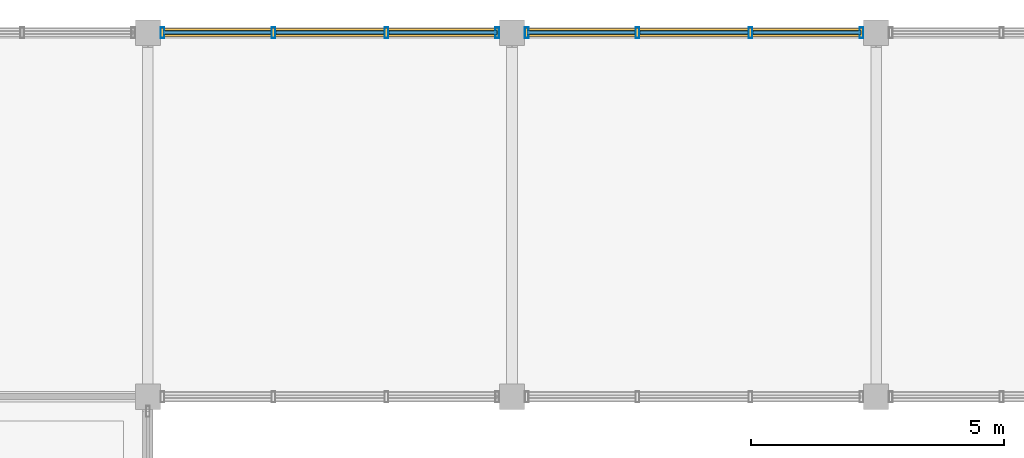
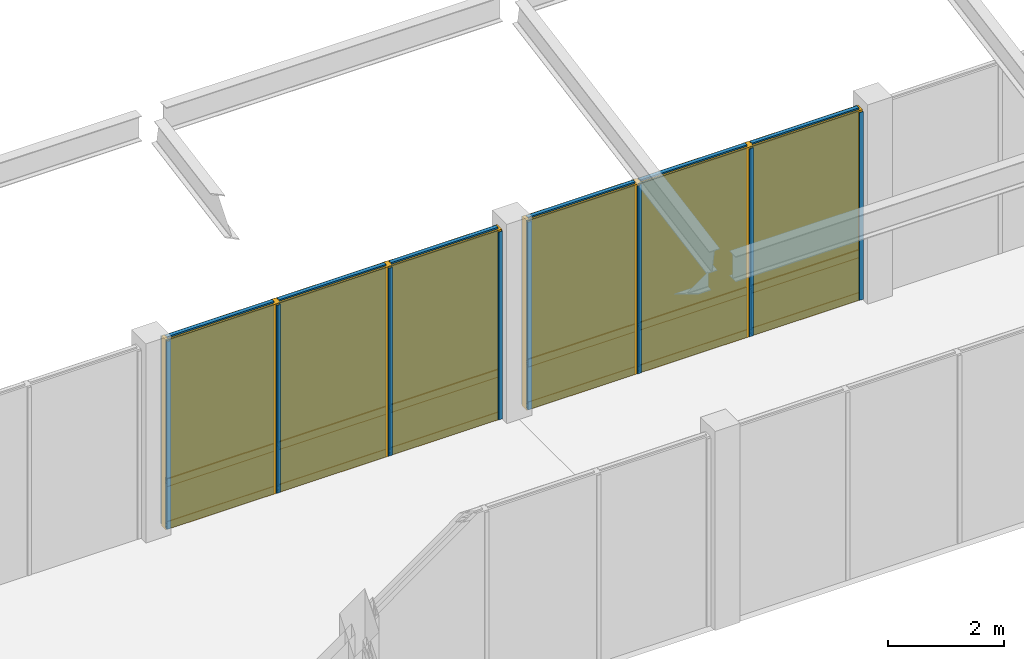
# One storey, part 14 of 16: 26 members, 12 plates, 2 curtain walls.
"""IFC4 building model written with IfcOpenShell, lengths in metres."""

from ifc_helpers import new_model, si_unit, direction, frame, origin, origin_2d, place, context, subcontext, project, spatial, rectangle, hollow_rectangle, extrude, material, layer, layer_set, material_profile, profile_set, type_object, element, aggregate, save


model = new_model("IFC4")

# Units and contexts
model_context = context("Model", 3, precision=1e-05, world=origin(), true_north=direction((0.0, 1.0)))
body_context = subcontext(model_context, "Body", "Model", "MODEL_VIEW")
ifc_project = project(units=[si_unit("LENGTHUNIT", "METRE"), si_unit("AREAUNIT", "SQUARE_METRE"), si_unit("VOLUMEUNIT", "CUBIC_METRE"), si_unit("PLANEANGLEUNIT", "RADIAN"), si_unit("MASSUNIT", "GRAM", prefix="KILO")], contexts=[model_context])

# Member
ifc_material_1 = material(Name="Anodized Aluminium 6063-T6", Category="aluminium")
ifc_material_profile_1 = material_profile(ifc_material_1, hollow_rectangle(XDim=0.074951171875, YDim=0.219970703125, WallThickness=0.0048828125, at=origin_2d()), Name="ALU 75x220x5")
ifc_profile_set_1 = profile_set([ifc_material_profile_1], Name="Anodized Aluminium 6063-T6")
member_type_1 = type_object("IfcMemberType", Name="CWM-75X180", PredefinedType="MULLION", material=ifc_profile_set_1)
site_placement = place(None, origin())
building_placement = place(site_placement, origin())
storey_placement = place(building_placement, frame((0.0, 0.0, 25.800048828125)))
member_1_placement = place(storey_placement, frame((72.2900390625, 115.199951171875, 0.02001953125), z_axis=(0.0, 0.0, 1.0), x_axis=(1.0, 0.0, 0.0)))
member_1 = element("IfcMember", 1, at=member_1_placement, type_object=member_type_1, Name="Curtain wall mullion CW-L07-10-15-N-00", PredefinedType="MULLION", context=body_context, shape_type="SweptSolid", body=[
    extrude(hollow_rectangle(XDim=0.074951171875, YDim=0.219970703125, WallThickness=0.0048828125, at=origin_2d()), origin(), (0.0, 0.0, 1.0), 3.9599609375),
])

member_2_placement = place(storey_placement, frame((74.4833984375, 115.199951171875, 0.02001953125), z_axis=(0.0, 0.0, 1.0), x_axis=(1.0, 0.0, 0.0)))
member_2 = element("IfcMember", 2, at=member_2_placement, type_object=member_type_1, Name="Curtain wall mullion CW-L07-10-15-N-01", PredefinedType="MULLION", context=body_context, shape_type="SweptSolid", body=[
    extrude(hollow_rectangle(XDim=0.074951171875, YDim=0.219970703125, WallThickness=0.0048828125, at=origin_2d()), origin(), (0.0, 0.0, 1.0), 3.9599609375),
])

member_3_placement = place(storey_placement, frame((76.716796875, 115.199951171875, 0.02001953125), z_axis=(0.0, 0.0, 1.0), x_axis=(1.0, 0.0, 0.0)))
member_3 = element("IfcMember", 3, at=member_3_placement, type_object=member_type_1, Name="Curtain wall mullion CW-L07-10-15-N-02", PredefinedType="MULLION", context=body_context, shape_type="SweptSolid", body=[
    extrude(hollow_rectangle(XDim=0.074951171875, YDim=0.219970703125, WallThickness=0.0048828125, at=origin_2d()), origin(), (0.0, 0.0, 1.0), 3.9599609375),
])

member_4_placement = place(storey_placement, frame((78.909912109375, 115.199951171875, 0.02001953125), z_axis=(0.0, 0.0, 1.0), x_axis=(1.0, 0.0, 0.0)))
member_4 = element("IfcMember", 4, at=member_4_placement, type_object=member_type_1, Name="Curtain wall mullion CW-L07-10-15-N-03", PredefinedType="MULLION", context=body_context, shape_type="SweptSolid", body=[
    extrude(hollow_rectangle(XDim=0.074951171875, YDim=0.219970703125, WallThickness=0.0048828125, at=origin_2d()), origin(), (0.0, 0.0, 1.0), 3.9599609375),
])

member_5_placement = place(storey_placement, frame((79.489990234375, 115.199951171875, 0.02001953125), z_axis=(0.0, 0.0, 1.0), x_axis=(1.0, 0.0, 0.0)))
member_5 = element("IfcMember", 5, at=member_5_placement, type_object=member_type_1, Name="Curtain wall mullion CW-L07-11-15-N-00", PredefinedType="MULLION", context=body_context, shape_type="SweptSolid", body=[
    extrude(hollow_rectangle(XDim=0.074951171875, YDim=0.219970703125, WallThickness=0.0048828125, at=origin_2d()), origin(), (0.0, 0.0, 1.0), 3.9599609375),
])

member_6_placement = place(storey_placement, frame((81.683349609375, 115.199951171875, 0.02001953125), z_axis=(0.0, 0.0, 1.0), x_axis=(1.0, 0.0, 0.0)))
member_6 = element("IfcMember", 6, at=member_6_placement, type_object=member_type_1, Name="Curtain wall mullion CW-L07-11-15-N-01", PredefinedType="MULLION", context=body_context, shape_type="SweptSolid", body=[
    extrude(hollow_rectangle(XDim=0.074951171875, YDim=0.219970703125, WallThickness=0.0048828125, at=origin_2d()), origin(), (0.0, 0.0, 1.0), 3.9599609375),
])

member_7_placement = place(storey_placement, frame((83.916748046875, 115.199951171875, 0.02001953125), z_axis=(0.0, 0.0, 1.0), x_axis=(1.0, 0.0, 0.0)))
member_7 = element("IfcMember", 7, at=member_7_placement, type_object=member_type_1, Name="Curtain wall mullion CW-L07-11-15-N-02", PredefinedType="MULLION", context=body_context, shape_type="SweptSolid", body=[
    extrude(hollow_rectangle(XDim=0.074951171875, YDim=0.219970703125, WallThickness=0.0048828125, at=origin_2d()), origin(), (0.0, 0.0, 1.0), 3.9599609375),
])

member_8_placement = place(storey_placement, frame((86.110107421875, 115.199951171875, 0.02001953125), z_axis=(0.0, 0.0, 1.0), x_axis=(1.0, 0.0, 0.0)))
member_8 = element("IfcMember", 8, at=member_8_placement, type_object=member_type_1, Name="Curtain wall mullion CW-L07-11-15-N-03", PredefinedType="MULLION", context=body_context, shape_type="SweptSolid", body=[
    extrude(hollow_rectangle(XDim=0.074951171875, YDim=0.219970703125, WallThickness=0.0048828125, at=origin_2d()), origin(), (0.0, 0.0, 1.0), 3.9599609375),
])

ifc_material_profile_2 = material_profile(ifc_material_1, hollow_rectangle(XDim=0.074951171875, YDim=0.159912109375, WallThickness=0.00390625, at=origin_2d()), Name="ALU 75x160x4")
ifc_profile_set_2 = profile_set([ifc_material_profile_2], Name="Anodized Aluminium 6063-T6")
member_type_2 = type_object("IfcMemberType", Name="CWT-75X150", PredefinedType="USERDEFINED", material=ifc_profile_set_2)
member_9_placement = place(storey_placement, frame((72.300048828125, 115.199951171875, 0.050048828125), z_axis=(1.0, 0.0, 0.0), x_axis=(0.0, 1.0, 0.0)))
member_9 = element("IfcMember", 9, at=member_9_placement, type_object=member_type_2, Name="Curtain wall transom CW-L07-10-15-N-1.01", ObjectType="TRANSOM", PredefinedType="USERDEFINED", context=body_context, shape_type="SweptSolid", body=[
    extrude(hollow_rectangle(XDim=0.074951171875, YDim=0.159912109375, WallThickness=0.00390625, at=origin_2d()), origin(), (0.0, 0.0, 1.0), 2.13330078125),
])

member_10_placement = place(storey_placement, frame((74.533203125, 115.199951171875, 0.050048828125), z_axis=(1.0, 0.0, 0.0), x_axis=(0.0, 1.0, 0.0)))
member_10 = element("IfcMember", 10, at=member_10_placement, type_object=member_type_2, Name="Curtain wall transom CW-L07-10-15-N-1.02", ObjectType="TRANSOM", PredefinedType="USERDEFINED", context=body_context, shape_type="SweptSolid", body=[
    extrude(hollow_rectangle(XDim=0.074951171875, YDim=0.159912109375, WallThickness=0.00390625, at=origin_2d()), origin(), (0.0, 0.0, 1.0), 2.133544921875),
])

member_11_placement = place(storey_placement, frame((76.7666015625, 115.199951171875, 0.050048828125), z_axis=(1.0, 0.0, 0.0), x_axis=(0.0, 1.0, 0.0)))
member_11 = element("IfcMember", 11, at=member_11_placement, type_object=member_type_2, Name="Curtain wall transom CW-L07-10-15-N-1.03", ObjectType="TRANSOM", PredefinedType="USERDEFINED", context=body_context, shape_type="SweptSolid", body=[
    extrude(hollow_rectangle(XDim=0.074951171875, YDim=0.159912109375, WallThickness=0.00390625, at=origin_2d()), origin(), (0.0, 0.0, 1.0), 2.13330078125),
])

member_12_placement = place(storey_placement, frame((72.300048828125, 115.199951171875, 0.949951171875), z_axis=(1.0, 0.0, 0.0), x_axis=(0.0, 1.0, 0.0)))
member_12 = element("IfcMember", 12, at=member_12_placement, type_object=member_type_2, Name="Curtain wall transom CW-L07-10-15-N-2.01", ObjectType="TRANSOM", PredefinedType="USERDEFINED", context=body_context, shape_type="SweptSolid", body=[
    extrude(hollow_rectangle(XDim=0.074951171875, YDim=0.159912109375, WallThickness=0.00390625, at=origin_2d()), origin(), (0.0, 0.0, 1.0), 2.13330078125),
])

member_13_placement = place(storey_placement, frame((74.533203125, 115.199951171875, 0.949951171875), z_axis=(1.0, 0.0, 0.0), x_axis=(0.0, 1.0, 0.0)))
member_13 = element("IfcMember", 13, at=member_13_placement, type_object=member_type_2, Name="Curtain wall transom CW-L07-10-15-N-2.02", ObjectType="TRANSOM", PredefinedType="USERDEFINED", context=body_context, shape_type="SweptSolid", body=[
    extrude(hollow_rectangle(XDim=0.074951171875, YDim=0.159912109375, WallThickness=0.00390625, at=origin_2d()), origin(), (0.0, 0.0, 1.0), 2.133544921875),
])

member_14_placement = place(storey_placement, frame((76.7666015625, 115.199951171875, 0.949951171875), z_axis=(1.0, 0.0, 0.0), x_axis=(0.0, 1.0, 0.0)))
member_14 = element("IfcMember", 14, at=member_14_placement, type_object=member_type_2, Name="Curtain wall transom CW-L07-10-15-N-2.03", ObjectType="TRANSOM", PredefinedType="USERDEFINED", context=body_context, shape_type="SweptSolid", body=[
    extrude(hollow_rectangle(XDim=0.074951171875, YDim=0.159912109375, WallThickness=0.00390625, at=origin_2d()), origin(), (0.0, 0.0, 1.0), 2.13330078125),
])

member_15_placement = place(storey_placement, frame((72.300048828125, 115.199951171875, 3.949951171875), z_axis=(1.0, 0.0, 0.0), x_axis=(0.0, 1.0, 0.0)))
member_15 = element("IfcMember", 15, at=member_15_placement, type_object=member_type_2, Name="Curtain wall transom CW-L07-10-15-N-3.01", ObjectType="TRANSOM", PredefinedType="USERDEFINED", context=body_context, shape_type="SweptSolid", body=[
    extrude(hollow_rectangle(XDim=0.074951171875, YDim=0.159912109375, WallThickness=0.00390625, at=origin_2d()), origin(), (0.0, 0.0, 1.0), 2.13330078125),
])

member_16_placement = place(storey_placement, frame((74.533203125, 115.199951171875, 3.949951171875), z_axis=(1.0, 0.0, 0.0), x_axis=(0.0, 1.0, 0.0)))
member_16 = element("IfcMember", 16, at=member_16_placement, type_object=member_type_2, Name="Curtain wall transom CW-L07-10-15-N-3.02", ObjectType="TRANSOM", PredefinedType="USERDEFINED", context=body_context, shape_type="SweptSolid", body=[
    extrude(hollow_rectangle(XDim=0.074951171875, YDim=0.159912109375, WallThickness=0.00390625, at=origin_2d()), origin(), (0.0, 0.0, 1.0), 2.133544921875),
])

member_17_placement = place(storey_placement, frame((76.7666015625, 115.199951171875, 3.949951171875), z_axis=(1.0, 0.0, 0.0), x_axis=(0.0, 1.0, 0.0)))
member_17 = element("IfcMember", 17, at=member_17_placement, type_object=member_type_2, Name="Curtain wall transom CW-L07-10-15-N-3.03", ObjectType="TRANSOM", PredefinedType="USERDEFINED", context=body_context, shape_type="SweptSolid", body=[
    extrude(hollow_rectangle(XDim=0.074951171875, YDim=0.159912109375, WallThickness=0.00390625, at=origin_2d()), origin(), (0.0, 0.0, 1.0), 2.13330078125),
])

member_18_placement = place(storey_placement, frame((79.5, 115.199951171875, 0.050048828125), z_axis=(1.0, 0.0, 0.0), x_axis=(0.0, 1.0, 0.0)))
member_18 = element("IfcMember", 18, at=member_18_placement, type_object=member_type_2, Name="Curtain wall transom CW-L07-11-15-N-1.01", ObjectType="TRANSOM", PredefinedType="USERDEFINED", context=body_context, shape_type="SweptSolid", body=[
    extrude(hollow_rectangle(XDim=0.074951171875, YDim=0.159912109375, WallThickness=0.00390625, at=origin_2d()), origin(), (0.0, 0.0, 1.0), 2.13330078125),
])

member_19_placement = place(storey_placement, frame((81.7333984375, 115.199951171875, 0.050048828125), z_axis=(1.0, 0.0, 0.0), x_axis=(0.0, 1.0, 0.0)))
member_19 = element("IfcMember", 19, at=member_19_placement, type_object=member_type_2, Name="Curtain wall transom CW-L07-11-15-N-1.02", ObjectType="TRANSOM", PredefinedType="USERDEFINED", context=body_context, shape_type="SweptSolid", body=[
    extrude(hollow_rectangle(XDim=0.074951171875, YDim=0.159912109375, WallThickness=0.00390625, at=origin_2d()), origin(), (0.0, 0.0, 1.0), 2.13330078125),
])

member_20_placement = place(storey_placement, frame((83.966796875, 115.199951171875, 0.050048828125), z_axis=(1.0, 0.0, 0.0), x_axis=(0.0, 1.0, 0.0)))
member_20 = element("IfcMember", 20, at=member_20_placement, type_object=member_type_2, Name="Curtain wall transom CW-L07-11-15-N-1.03", ObjectType="TRANSOM", PredefinedType="USERDEFINED", context=body_context, shape_type="SweptSolid", body=[
    extrude(hollow_rectangle(XDim=0.074951171875, YDim=0.159912109375, WallThickness=0.00390625, at=origin_2d()), origin(), (0.0, 0.0, 1.0), 2.13330078125),
])

member_21_placement = place(storey_placement, frame((79.5, 115.199951171875, 0.949951171875), z_axis=(1.0, 0.0, 0.0), x_axis=(0.0, 1.0, 0.0)))
member_21 = element("IfcMember", 21, at=member_21_placement, type_object=member_type_2, Name="Curtain wall transom CW-L07-11-15-N-2.01", ObjectType="TRANSOM", PredefinedType="USERDEFINED", context=body_context, shape_type="SweptSolid", body=[
    extrude(hollow_rectangle(XDim=0.074951171875, YDim=0.159912109375, WallThickness=0.00390625, at=origin_2d()), origin(), (0.0, 0.0, 1.0), 2.13330078125),
])

member_22_placement = place(storey_placement, frame((81.7333984375, 115.199951171875, 0.949951171875), z_axis=(1.0, 0.0, 0.0), x_axis=(0.0, 1.0, 0.0)))
member_22 = element("IfcMember", 22, at=member_22_placement, type_object=member_type_2, Name="Curtain wall transom CW-L07-11-15-N-2.02", ObjectType="TRANSOM", PredefinedType="USERDEFINED", context=body_context, shape_type="SweptSolid", body=[
    extrude(hollow_rectangle(XDim=0.074951171875, YDim=0.159912109375, WallThickness=0.00390625, at=origin_2d()), origin(), (0.0, 0.0, 1.0), 2.13330078125),
])

member_23_placement = place(storey_placement, frame((83.966796875, 115.199951171875, 0.949951171875), z_axis=(1.0, 0.0, 0.0), x_axis=(0.0, 1.0, 0.0)))
member_23 = element("IfcMember", 23, at=member_23_placement, type_object=member_type_2, Name="Curtain wall transom CW-L07-11-15-N-2.03", ObjectType="TRANSOM", PredefinedType="USERDEFINED", context=body_context, shape_type="SweptSolid", body=[
    extrude(hollow_rectangle(XDim=0.074951171875, YDim=0.159912109375, WallThickness=0.00390625, at=origin_2d()), origin(), (0.0, 0.0, 1.0), 2.13330078125),
])

member_24_placement = place(storey_placement, frame((79.5, 115.199951171875, 3.949951171875), z_axis=(1.0, 0.0, 0.0), x_axis=(0.0, 1.0, 0.0)))
member_24 = element("IfcMember", 24, at=member_24_placement, type_object=member_type_2, Name="Curtain wall transom CW-L07-11-15-N-3.01", ObjectType="TRANSOM", PredefinedType="USERDEFINED", context=body_context, shape_type="SweptSolid", body=[
    extrude(hollow_rectangle(XDim=0.074951171875, YDim=0.159912109375, WallThickness=0.00390625, at=origin_2d()), origin(), (0.0, 0.0, 1.0), 2.13330078125),
])

member_25_placement = place(storey_placement, frame((81.7333984375, 115.199951171875, 3.949951171875), z_axis=(1.0, 0.0, 0.0), x_axis=(0.0, 1.0, 0.0)))
member_25 = element("IfcMember", 25, at=member_25_placement, type_object=member_type_2, Name="Curtain wall transom CW-L07-11-15-N-3.02", ObjectType="TRANSOM", PredefinedType="USERDEFINED", context=body_context, shape_type="SweptSolid", body=[
    extrude(hollow_rectangle(XDim=0.074951171875, YDim=0.159912109375, WallThickness=0.00390625, at=origin_2d()), origin(), (0.0, 0.0, 1.0), 2.13330078125),
])

member_26_placement = place(storey_placement, frame((83.966796875, 115.199951171875, 3.949951171875), z_axis=(1.0, 0.0, 0.0), x_axis=(0.0, 1.0, 0.0)))
member_26 = element("IfcMember", 26, at=member_26_placement, type_object=member_type_2, Name="Curtain wall transom CW-L07-11-15-N-3.03", ObjectType="TRANSOM", PredefinedType="USERDEFINED", context=body_context, shape_type="SweptSolid", body=[
    extrude(hollow_rectangle(XDim=0.074951171875, YDim=0.159912109375, WallThickness=0.00390625, at=origin_2d()), origin(), (0.0, 0.0, 1.0), 2.13330078125),
])

# Plate
ifc_material_2 = material(Name="Acoustic Laminated Low-E Glazing", Category="glass")
ifc_layer_1 = layer(ifc_material_2, 0.0439453125)
ifc_layer_set_1 = layer_set([ifc_layer_1], Name="Acoustic Laminated Low-E Glazing")
plate_type_1 = type_object("IfcPlateType", Name="CWP-IGU-44", PredefinedType="CURTAIN_PANEL", material=ifc_layer_set_1)
plate_1_placement = place(storey_placement, frame((73.36669921875, 115.199951171875, 0.98974609375), z_axis=(0.0, 0.0, 1.0), x_axis=(1.0, 0.0, 0.0)))
plate_1 = element("IfcPlate", 27, at=plate_1_placement, type_object=plate_type_1, Name="Curtain wall vision glazing CW-L07-10-15-N-01", PredefinedType="CURTAIN_PANEL", context=body_context, shape_type="SweptSolid", body=[
    extrude(rectangle(XDim=2.143310546875, YDim=0.0400390625, at=origin_2d()), origin(), (0.0, 0.0, 1.0), 2.949951171875),
])

plate_2_placement = place(storey_placement, frame((75.60009765625, 115.199951171875, 0.98974609375), z_axis=(0.0, 0.0, 1.0), x_axis=(1.0, 0.0, 0.0)))
plate_2 = element("IfcPlate", 28, at=plate_2_placement, type_object=plate_type_1, Name="Curtain wall vision glazing CW-L07-10-15-N-02", PredefinedType="CURTAIN_PANEL", context=body_context, shape_type="SweptSolid", body=[
    extrude(rectangle(XDim=2.143310546875, YDim=0.0400390625, at=origin_2d()), origin(), (0.0, 0.0, 1.0), 2.949951171875),
])

plate_3_placement = place(storey_placement, frame((77.833251953125, 115.199951171875, 0.98974609375), z_axis=(0.0, 0.0, 1.0), x_axis=(1.0, 0.0, 0.0)))
plate_3 = element("IfcPlate", 29, at=plate_3_placement, type_object=plate_type_1, Name="Curtain wall vision glazing CW-L07-10-15-N-03", PredefinedType="CURTAIN_PANEL", context=body_context, shape_type="SweptSolid", body=[
    extrude(rectangle(XDim=2.143310546875, YDim=0.0400390625, at=origin_2d()), origin(), (0.0, 0.0, 1.0), 2.949951171875),
])

plate_4_placement = place(storey_placement, frame((80.566650390625, 115.199951171875, 0.98974609375), z_axis=(0.0, 0.0, 1.0), x_axis=(1.0, 0.0, 0.0)))
plate_4 = element("IfcPlate", 30, at=plate_4_placement, type_object=plate_type_1, Name="Curtain wall vision glazing CW-L07-11-15-N-01", PredefinedType="CURTAIN_PANEL", context=body_context, shape_type="SweptSolid", body=[
    extrude(rectangle(XDim=2.143310546875, YDim=0.0400390625, at=origin_2d()), origin(), (0.0, 0.0, 1.0), 2.949951171875),
])

plate_5_placement = place(storey_placement, frame((82.800048828125, 115.199951171875, 0.98974609375), z_axis=(0.0, 0.0, 1.0), x_axis=(1.0, 0.0, 0.0)))
plate_5 = element("IfcPlate", 31, at=plate_5_placement, type_object=plate_type_1, Name="Curtain wall vision glazing CW-L07-11-15-N-02", PredefinedType="CURTAIN_PANEL", context=body_context, shape_type="SweptSolid", body=[
    extrude(rectangle(XDim=2.143310546875, YDim=0.0400390625, at=origin_2d()), origin(), (0.0, 0.0, 1.0), 2.949951171875),
])

plate_6_placement = place(storey_placement, frame((85.033203125, 115.199951171875, 0.98974609375), z_axis=(0.0, 0.0, 1.0), x_axis=(1.0, 0.0, 0.0)))
plate_6 = element("IfcPlate", 32, at=plate_6_placement, type_object=plate_type_1, Name="Curtain wall vision glazing CW-L07-11-15-N-03", PredefinedType="CURTAIN_PANEL", context=body_context, shape_type="SweptSolid", body=[
    extrude(rectangle(XDim=2.143310546875, YDim=0.0400390625, at=origin_2d()), origin(), (0.0, 0.0, 1.0), 2.949951171875),
])

ifc_material_3 = material(Name="Insulated Stone-Composite Spandrel", Category="masonry")
ifc_layer_2 = layer(ifc_material_3, 0.068115234375)
ifc_layer_set_2 = layer_set([ifc_layer_2], Name="Insulated Stone-Composite Spandrel")
plate_type_2 = type_object("IfcPlateType", Name="CWP-SPN-68", PredefinedType="CURTAIN_PANEL", material=ifc_layer_set_2)
plate_7_placement = place(storey_placement, frame((73.36669921875, 115.199951171875, 0.080078125), z_axis=(0.0, 0.0, 1.0), x_axis=(1.0, 0.0, 0.0)))
plate_7 = element("IfcPlate", 33, at=plate_7_placement, type_object=plate_type_2, Name="Curtain wall spandrel panel CW-L07-10-15-N-01", PredefinedType="CURTAIN_PANEL", context=body_context, shape_type="SweptSolid", body=[
    extrude(rectangle(XDim=2.143310546875, YDim=0.06005859375, at=origin_2d()), origin(), (0.0, 0.0, 1.0), 0.840087890625),
])

plate_8_placement = place(storey_placement, frame((75.60009765625, 115.199951171875, 0.080078125), z_axis=(0.0, 0.0, 1.0), x_axis=(1.0, 0.0, 0.0)))
plate_8 = element("IfcPlate", 34, at=plate_8_placement, type_object=plate_type_2, Name="Curtain wall spandrel panel CW-L07-10-15-N-02", PredefinedType="CURTAIN_PANEL", context=body_context, shape_type="SweptSolid", body=[
    extrude(rectangle(XDim=2.143310546875, YDim=0.06005859375, at=origin_2d()), origin(), (0.0, 0.0, 1.0), 0.840087890625),
])

plate_9_placement = place(storey_placement, frame((77.833251953125, 115.199951171875, 0.080078125), z_axis=(0.0, 0.0, 1.0), x_axis=(1.0, 0.0, 0.0)))
plate_9 = element("IfcPlate", 35, at=plate_9_placement, type_object=plate_type_2, Name="Curtain wall spandrel panel CW-L07-10-15-N-03", PredefinedType="CURTAIN_PANEL", context=body_context, shape_type="SweptSolid", body=[
    extrude(rectangle(XDim=2.143310546875, YDim=0.06005859375, at=origin_2d()), origin(), (0.0, 0.0, 1.0), 0.840087890625),
])

plate_10_placement = place(storey_placement, frame((80.566650390625, 115.199951171875, 0.080078125), z_axis=(0.0, 0.0, 1.0), x_axis=(1.0, 0.0, 0.0)))
plate_10 = element("IfcPlate", 36, at=plate_10_placement, type_object=plate_type_2, Name="Curtain wall spandrel panel CW-L07-11-15-N-01", PredefinedType="CURTAIN_PANEL", context=body_context, shape_type="SweptSolid", body=[
    extrude(rectangle(XDim=2.143310546875, YDim=0.06005859375, at=origin_2d()), origin(), (0.0, 0.0, 1.0), 0.840087890625),
])

plate_11_placement = place(storey_placement, frame((82.800048828125, 115.199951171875, 0.080078125), z_axis=(0.0, 0.0, 1.0), x_axis=(1.0, 0.0, 0.0)))
plate_11 = element("IfcPlate", 37, at=plate_11_placement, type_object=plate_type_2, Name="Curtain wall spandrel panel CW-L07-11-15-N-02", PredefinedType="CURTAIN_PANEL", context=body_context, shape_type="SweptSolid", body=[
    extrude(rectangle(XDim=2.143310546875, YDim=0.06005859375, at=origin_2d()), origin(), (0.0, 0.0, 1.0), 0.840087890625),
])

plate_12_placement = place(storey_placement, frame((85.033203125, 115.199951171875, 0.080078125), z_axis=(0.0, 0.0, 1.0), x_axis=(1.0, 0.0, 0.0)))
plate_12 = element("IfcPlate", 38, at=plate_12_placement, type_object=plate_type_2, Name="Curtain wall spandrel panel CW-L07-11-15-N-03", PredefinedType="CURTAIN_PANEL", context=body_context, shape_type="SweptSolid", body=[
    extrude(rectangle(XDim=2.143310546875, YDim=0.06005859375, at=origin_2d()), origin(), (0.0, 0.0, 1.0), 0.840087890625),
])

# Site, building, storey
site = spatial("IfcSite", under=ifc_project, at=site_placement, CompositionType="ELEMENT")
building = spatial("IfcBuilding", under=site, at=building_placement, Name="Sillqori Civic Hall", CompositionType="ELEMENT")
storey = spatial("IfcBuildingStorey", under=building, at=storey_placement, Name="L07", CompositionType="ELEMENT", Elevation=25.800048828125)

# Curtain wall
ifc_material_4 = material(Name="Anodized Aluminium Curtain Wall System", Category="aluminium")
curtain_wall_type = type_object("IfcCurtainWallType", Name="CW-OB-340", PredefinedType="NOTDEFINED", material=ifc_material_4)
curtain_wall_1_placement = place(storey_placement, frame((75.60009765625, 115.199951171875, 0.0), z_axis=(0.0, 0.0, 1.0), x_axis=(1.0, 0.0, 0.0)))
curtain_wall_1 = element("IfcCurtainWall", 39, at=curtain_wall_1_placement, inside=storey, type_object=curtain_wall_type, Name="L07 unitised curtain wall CW-L07-10-15-N", PredefinedType="NOTDEFINED", context=body_context, shape_type="SweptSolid", body=[
    extrude(rectangle(XDim=6.699951171875, YDim=0.159912109375, at=origin_2d()), origin(), (0.0, 0.0, 1.0), 4.0),
])

aggregate(curtain_wall_1, [member_1, member_2, member_3, member_4, member_9, member_10, member_11, member_12, member_13, member_14, member_15, member_16, member_17, plate_7, plate_1, plate_8, plate_2, plate_9, plate_3])

curtain_wall_2_placement = place(storey_placement, frame((82.800048828125, 115.199951171875, 0.0), z_axis=(0.0, 0.0, 1.0), x_axis=(1.0, 0.0, 0.0)))
curtain_wall_2 = element("IfcCurtainWall", 40, at=curtain_wall_2_placement, inside=storey, type_object=curtain_wall_type, Name="L07 unitised curtain wall CW-L07-11-15-N", PredefinedType="NOTDEFINED", context=body_context, shape_type="SweptSolid", body=[
    extrude(rectangle(XDim=6.699951171875, YDim=0.159912109375, at=origin_2d()), origin(), (0.0, 0.0, 1.0), 4.0),
])

aggregate(curtain_wall_2, [member_5, member_6, member_7, member_8, member_18, member_19, member_20, member_21, member_22, member_23, member_24, member_25, member_26, plate_10, plate_4, plate_11, plate_5, plate_12, plate_6])

save(model, "model.ifc")
